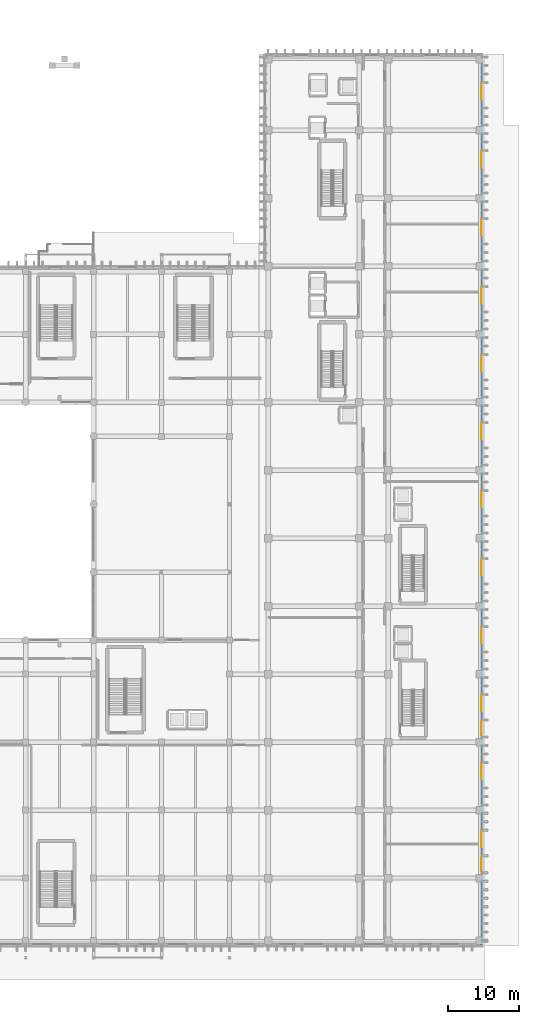
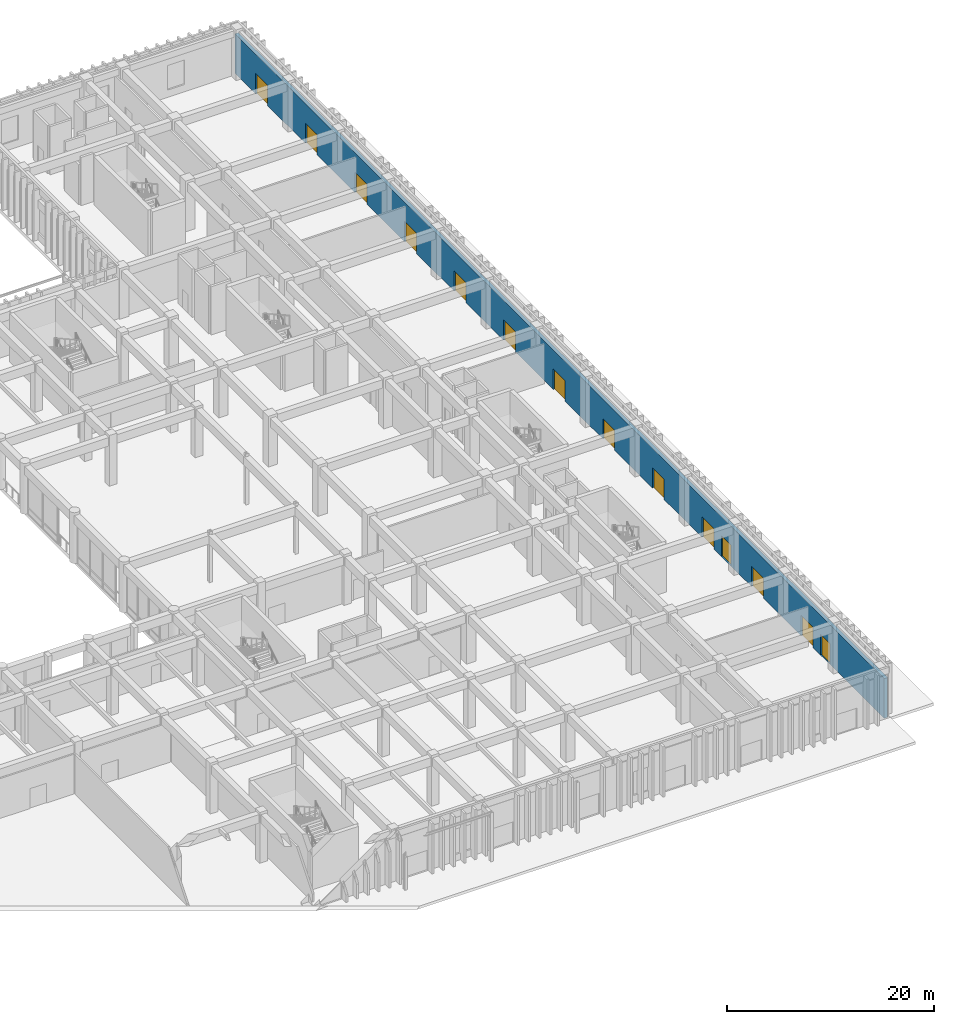
# One storey, part 48 of 87: 14 doors, 1 wall, 14 openings.
"""IFC4 building model written with IfcOpenShell, lengths in metres."""

from ifc_helpers import new_model, si_unit, direction, frame, frame_2d, origin, place, context, subcontext, project, spatial, rectangle, extrude, material, layer, layer_set, type_object, element, fill, save


model = new_model("IFC4")

# Units and contexts
model_context = context("Model", 3, precision=1e-05, world=origin(), true_north=direction((0.0, 1.0)))
body_context = subcontext(model_context, "Body", "Model", "MODEL_VIEW")
ifc_project = project(units=[si_unit("LENGTHUNIT", "METRE"), si_unit("AREAUNIT", "SQUARE_METRE"), si_unit("VOLUMEUNIT", "CUBIC_METRE"), si_unit("PLANEANGLEUNIT", "RADIAN"), si_unit("MASSUNIT", "GRAM", prefix="KILO")], contexts=[model_context])

# Site, building, storey
site_placement = place(None, origin())
site = spatial("IfcSite", under=ifc_project, at=site_placement, CompositionType="ELEMENT")
building_placement = place(site_placement, origin())
building = spatial("IfcBuilding", under=site, at=building_placement, Name="Nakhvara Creek Congress Hotel", CompositionType="ELEMENT")
storey_placement = place(building_placement, origin())
storey = spatial("IfcBuildingStorey", under=building, at=storey_placement, Name="L00", CompositionType="ELEMENT", Elevation=0.0)

# Wall, openings, doors
ifc_material_1 = material(Name="Honed pale Omani limestone cladding", Category="masonry")
ifc_layer_1 = layer(ifc_material_1, 0.050048828125)
ifc_material_2 = material(Name="Mineral wool thermal insulation")
ifc_layer_2 = layer(ifc_material_2, 0.110107421875)
ifc_material_3 = material(Name="Precast concrete C40/50", Category="concrete")
ifc_layer_3 = layer(ifc_material_3, 0.219970703125)
ifc_layer_set = layer_set([ifc_layer_1, ifc_layer_2, ifc_layer_3], Name="Precast concrete C40/50")
wall_type = type_object("IfcWallType", Name="W-EXT-380", PredefinedType="SOLIDWALL", material=ifc_layer_set)
wall_placement = place(storey_placement, frame((179.56005859375, 125.85009765625, 0.0), z_axis=(0.0, 0.0, 1.0), x_axis=(0.0, -1.0, 0.0)))
wall = element("IfcWall", 1, at=wall_placement, inside=storey, type_object=wall_type, Name="Exterior Wall WE03-EW-L00-0032", PredefinedType="SOLIDWALL", context=body_context, shape_type="SweptSolid", body=[
    extrude(rectangle(XDim=125.7001953125, YDim=0.3798828125, at=frame_2d((62.85009765625, 0.0))), origin(), (0.0, 0.0, 1.0), 4.69189453125),
])
opening_1_placement = place(wall_placement, frame((4.0, 0.0, 0.0)))
opening_1 = element("IfcOpeningElement", 2, at=opening_1_placement, cuts=wall, Name="Opening E23", PredefinedType="OPENING", context=body_context, shape_type="SweptSolid", body=[
    extrude(rectangle(XDim=2.300048828125, YDim=2.39990234375, at=frame_2d((1.14990234375, 1.199951171875))), frame((0.0, 0.201904296875, 0.0), z_axis=(0.0, -1.0, 0.0), x_axis=(1.0, 0.0, 0.0)), (0.0, 0.0, 1.0), 0.40380859375),
])
opening_2_placement = place(wall_placement, frame((13.60009765625, 0.0, 0.0)))
opening_2 = element("IfcOpeningElement", 3, at=opening_2_placement, cuts=wall, Name="Opening E24", PredefinedType="OPENING", context=body_context, shape_type="SweptSolid", body=[
    extrude(rectangle(XDim=2.300048828125, YDim=2.39990234375, at=frame_2d((1.14990234375, 1.199951171875))), frame((0.0, 0.201904296875, 0.0), z_axis=(0.0, -1.0, 0.0), x_axis=(1.0, 0.0, 0.0)), (0.0, 0.0, 1.0), 0.40380859375),
])
opening_3_placement = place(wall_placement, frame((23.199951171875, 0.0, 0.0)))
opening_3 = element("IfcOpeningElement", 4, at=opening_3_placement, cuts=wall, Name="Opening E25", PredefinedType="OPENING", context=body_context, shape_type="SweptSolid", body=[
    extrude(rectangle(XDim=2.300048828125, YDim=2.39990234375, at=frame_2d((1.14990234375, 1.199951171875))), frame((0.0, 0.201904296875, 0.0), z_axis=(0.0, -1.0, 0.0), x_axis=(1.0, 0.0, 0.0)), (0.0, 0.0, 1.0), 0.40380859375),
])
opening_4_placement = place(wall_placement, frame((32.800048828125, 0.0, 0.0)))
opening_4 = element("IfcOpeningElement", 5, at=opening_4_placement, cuts=wall, Name="Opening E26", PredefinedType="OPENING", context=body_context, shape_type="SweptSolid", body=[
    extrude(rectangle(XDim=2.300048828125, YDim=2.39990234375, at=frame_2d((1.14990234375, 1.199951171875))), frame((0.0, 0.201904296875, 0.0), z_axis=(0.0, -1.0, 0.0), x_axis=(1.0, 0.0, 0.0)), (0.0, 0.0, 1.0), 0.40380859375),
])
opening_5_placement = place(wall_placement, frame((42.39990234375, 0.0, 0.0)))
opening_5 = element("IfcOpeningElement", 6, at=opening_5_placement, cuts=wall, Name="Opening E27", PredefinedType="OPENING", context=body_context, shape_type="SweptSolid", body=[
    extrude(rectangle(XDim=2.300048828125, YDim=2.39990234375, at=frame_2d((1.14990234375, 1.199951171875))), frame((0.0, 0.201904296875, 0.0), z_axis=(0.0, -1.0, 0.0), x_axis=(1.0, 0.0, 0.0)), (0.0, 0.0, 1.0), 0.40380859375),
])
opening_6_placement = place(wall_placement, frame((52.0, 0.0, 0.0)))
opening_6 = element("IfcOpeningElement", 7, at=opening_6_placement, cuts=wall, Name="Opening E28", PredefinedType="OPENING", context=body_context, shape_type="SweptSolid", body=[
    extrude(rectangle(XDim=2.300048828125, YDim=2.39990234375, at=frame_2d((1.14990234375, 1.199951171875))), frame((0.0, 0.201904296875, 0.0), z_axis=(0.0, -1.0, 0.0), x_axis=(1.0, 0.0, 0.0)), (0.0, 0.0, 1.0), 0.40380859375),
])
opening_7_placement = place(wall_placement, frame((61.60009765625, 0.0, 0.0)))
opening_7 = element("IfcOpeningElement", 8, at=opening_7_placement, cuts=wall, Name="Opening E29", PredefinedType="OPENING", context=body_context, shape_type="SweptSolid", body=[
    extrude(rectangle(XDim=2.300048828125, YDim=2.39990234375, at=frame_2d((1.14990234375, 1.199951171875))), frame((0.0, 0.201904296875, 0.0), z_axis=(0.0, -1.0, 0.0), x_axis=(1.0, 0.0, 0.0)), (0.0, 0.0, 1.0), 0.40380859375),
])
opening_8_placement = place(wall_placement, frame((71.199951171875, 0.0, 0.0)))
opening_8 = element("IfcOpeningElement", 9, at=opening_8_placement, cuts=wall, Name="Opening E30", PredefinedType="OPENING", context=body_context, shape_type="SweptSolid", body=[
    extrude(rectangle(XDim=2.300048828125, YDim=2.39990234375, at=frame_2d((1.14990234375, 1.199951171875))), frame((0.0, 0.201904296875, 0.0), z_axis=(0.0, -1.0, 0.0), x_axis=(1.0, 0.0, 0.0)), (0.0, 0.0, 1.0), 0.40380859375),
])
opening_9_placement = place(wall_placement, frame((80.800048828125, 0.0, 0.0)))
opening_9 = element("IfcOpeningElement", 10, at=opening_9_placement, cuts=wall, Name="Opening E31", PredefinedType="OPENING", context=body_context, shape_type="SweptSolid", body=[
    extrude(rectangle(XDim=2.300048828125, YDim=2.39990234375, at=frame_2d((1.14990234375, 1.199951171875))), frame((0.0, 0.201904296875, 0.0), z_axis=(0.0, -1.0, 0.0), x_axis=(1.0, 0.0, 0.0)), (0.0, 0.0, 1.0), 0.40380859375),
])
opening_10_placement = place(wall_placement, frame((90.39990234375, 0.0, 0.0)))
opening_10 = element("IfcOpeningElement", 11, at=opening_10_placement, cuts=wall, Name="Opening E32", PredefinedType="OPENING", context=body_context, shape_type="SweptSolid", body=[
    extrude(rectangle(XDim=2.300048828125, YDim=2.39990234375, at=frame_2d((1.14990234375, 1.199951171875))), frame((0.0, 0.201904296875, 0.0), z_axis=(0.0, -1.0, 0.0), x_axis=(1.0, 0.0, 0.0)), (0.0, 0.0, 1.0), 0.40380859375),
])
opening_11_placement = place(wall_placement, frame((100.0, 0.0, 0.0)))
opening_11 = element("IfcOpeningElement", 12, at=opening_11_placement, cuts=wall, Name="Opening E33", PredefinedType="OPENING", context=body_context, shape_type="SweptSolid", body=[
    extrude(rectangle(XDim=2.300048828125, YDim=2.39990234375, at=frame_2d((1.14990234375, 1.199951171875))), frame((0.0, 0.201904296875, 0.0), z_axis=(0.0, -1.0, 0.0), x_axis=(1.0, 0.0, 0.0)), (0.0, 0.0, 1.0), 0.40380859375),
])
opening_12_placement = place(wall_placement, frame((109.60009765625, 0.0, 0.0)))
opening_12 = element("IfcOpeningElement", 13, at=opening_12_placement, cuts=wall, Name="Opening E34", PredefinedType="OPENING", context=body_context, shape_type="SweptSolid", body=[
    extrude(rectangle(XDim=2.300048828125, YDim=2.39990234375, at=frame_2d((1.14990234375, 1.199951171875))), frame((0.0, 0.201904296875, 0.0), z_axis=(0.0, -1.0, 0.0), x_axis=(1.0, 0.0, 0.0)), (0.0, 0.0, 1.0), 0.40380859375),
])
opening_13_placement = place(wall_placement, frame((94.14990234375, 0.0, 0.0)))
opening_13 = element("IfcOpeningElement", 14, at=opening_13_placement, cuts=wall, Name="Opening RT01", PredefinedType="OPENING", context=body_context, shape_type="SweptSolid", body=[
    extrude(rectangle(XDim=1.89990234375, YDim=2.449951171875, at=frame_2d((0.949951171875, 1.22509765625))), frame((0.0, 0.201904296875, 0.0), z_axis=(0.0, -1.0, 0.0), x_axis=(1.0, 0.0, 0.0)), (0.0, 0.0, 1.0), 0.40380859375),
])
opening_14_placement = place(wall_placement, frame((113.35009765625, 0.0, 0.0)))
opening_14 = element("IfcOpeningElement", 15, at=opening_14_placement, cuts=wall, Name="Opening RT02", PredefinedType="OPENING", context=body_context, shape_type="SweptSolid", body=[
    extrude(rectangle(XDim=1.89990234375, YDim=2.449951171875, at=frame_2d((0.949951171875, 1.22509765625))), frame((0.0, 0.201904296875, 0.0), z_axis=(0.0, -1.0, 0.0), x_axis=(1.0, 0.0, 0.0)), (0.0, 0.0, 1.0), 0.40380859375),
])
ifc_material_4 = material(Name="Bronze-anodised aluminium and laminated low-E glass", Category="aluminium")
door_type_1 = type_object("IfcDoorType", Name="DT-EXT-E230", OperationType="DOUBLE_DOOR_SINGLE_SWING", PredefinedType="DOOR", material=ifc_material_4)
door_1_placement = place(opening_1_placement, origin())
door_1 = element("IfcDoor", 16, at=door_1_placement, inside=storey, type_object=door_type_1, Name="Main Final Exit E23", OperationType="DOUBLE_DOOR_SINGLE_SWING", OverallHeight=2.39990234375, OverallWidth=2.300048828125, PredefinedType="DOOR", context=body_context, shape_type="SweptSolid", body=[
    extrude(rectangle(XDim=2.300048828125, YDim=2.39990234375, at=frame_2d((1.14990234375, 1.199951171875))), frame((0.0, 0.02490234375, 0.0), z_axis=(0.0, -1.0, 0.0), x_axis=(1.0, 0.0, 0.0)), (0.0, 0.0, 1.0), 0.050048828125),
])
fill(opening_1, door_1)
door_2_placement = place(opening_2_placement, origin())
door_2 = element("IfcDoor", 17, at=door_2_placement, inside=storey, type_object=door_type_1, Name="Main Final Exit E24", OperationType="DOUBLE_DOOR_SINGLE_SWING", OverallHeight=2.39990234375, OverallWidth=2.300048828125, PredefinedType="DOOR", context=body_context, shape_type="SweptSolid", body=[
    extrude(rectangle(XDim=2.300048828125, YDim=2.39990234375, at=frame_2d((1.14990234375, 1.199951171875))), frame((0.0, 0.02490234375, 0.0), z_axis=(0.0, -1.0, 0.0), x_axis=(1.0, 0.0, 0.0)), (0.0, 0.0, 1.0), 0.050048828125),
])
fill(opening_2, door_2)
door_3_placement = place(opening_3_placement, origin())
door_3 = element("IfcDoor", 18, at=door_3_placement, inside=storey, type_object=door_type_1, Name="Main Final Exit E25", OperationType="DOUBLE_DOOR_SINGLE_SWING", OverallHeight=2.39990234375, OverallWidth=2.300048828125, PredefinedType="DOOR", context=body_context, shape_type="SweptSolid", body=[
    extrude(rectangle(XDim=2.300048828125, YDim=2.39990234375, at=frame_2d((1.14990234375, 1.199951171875))), frame((0.0, 0.02490234375, 0.0), z_axis=(0.0, -1.0, 0.0), x_axis=(1.0, 0.0, 0.0)), (0.0, 0.0, 1.0), 0.050048828125),
])
fill(opening_3, door_3)
door_4_placement = place(opening_4_placement, origin())
door_4 = element("IfcDoor", 19, at=door_4_placement, inside=storey, type_object=door_type_1, Name="Main Final Exit E26", OperationType="DOUBLE_DOOR_SINGLE_SWING", OverallHeight=2.39990234375, OverallWidth=2.300048828125, PredefinedType="DOOR", context=body_context, shape_type="SweptSolid", body=[
    extrude(rectangle(XDim=2.300048828125, YDim=2.39990234375, at=frame_2d((1.14990234375, 1.199951171875))), frame((0.0, 0.02490234375, 0.0), z_axis=(0.0, -1.0, 0.0), x_axis=(1.0, 0.0, 0.0)), (0.0, 0.0, 1.0), 0.050048828125),
])
fill(opening_4, door_4)
door_5_placement = place(opening_5_placement, origin())
door_5 = element("IfcDoor", 20, at=door_5_placement, inside=storey, type_object=door_type_1, Name="Main Final Exit E27", OperationType="DOUBLE_DOOR_SINGLE_SWING", OverallHeight=2.39990234375, OverallWidth=2.300048828125, PredefinedType="DOOR", context=body_context, shape_type="SweptSolid", body=[
    extrude(rectangle(XDim=2.300048828125, YDim=2.39990234375, at=frame_2d((1.14990234375, 1.199951171875))), frame((0.0, 0.02490234375, 0.0), z_axis=(0.0, -1.0, 0.0), x_axis=(1.0, 0.0, 0.0)), (0.0, 0.0, 1.0), 0.050048828125),
])
fill(opening_5, door_5)
door_6_placement = place(opening_6_placement, origin())
door_6 = element("IfcDoor", 21, at=door_6_placement, inside=storey, type_object=door_type_1, Name="Main Final Exit E28", OperationType="DOUBLE_DOOR_SINGLE_SWING", OverallHeight=2.39990234375, OverallWidth=2.300048828125, PredefinedType="DOOR", context=body_context, shape_type="SweptSolid", body=[
    extrude(rectangle(XDim=2.300048828125, YDim=2.39990234375, at=frame_2d((1.14990234375, 1.199951171875))), frame((0.0, 0.02490234375, 0.0), z_axis=(0.0, -1.0, 0.0), x_axis=(1.0, 0.0, 0.0)), (0.0, 0.0, 1.0), 0.050048828125),
])
fill(opening_6, door_6)
door_7_placement = place(opening_7_placement, origin())
door_7 = element("IfcDoor", 22, at=door_7_placement, inside=storey, type_object=door_type_1, Name="Main Final Exit E29", OperationType="DOUBLE_DOOR_SINGLE_SWING", OverallHeight=2.39990234375, OverallWidth=2.300048828125, PredefinedType="DOOR", context=body_context, shape_type="SweptSolid", body=[
    extrude(rectangle(XDim=2.300048828125, YDim=2.39990234375, at=frame_2d((1.14990234375, 1.199951171875))), frame((0.0, 0.02490234375, 0.0), z_axis=(0.0, -1.0, 0.0), x_axis=(1.0, 0.0, 0.0)), (0.0, 0.0, 1.0), 0.050048828125),
])
fill(opening_7, door_7)
door_8_placement = place(opening_8_placement, origin())
door_8 = element("IfcDoor", 23, at=door_8_placement, inside=storey, type_object=door_type_1, Name="Main Final Exit E30", OperationType="DOUBLE_DOOR_SINGLE_SWING", OverallHeight=2.39990234375, OverallWidth=2.300048828125, PredefinedType="DOOR", context=body_context, shape_type="SweptSolid", body=[
    extrude(rectangle(XDim=2.300048828125, YDim=2.39990234375, at=frame_2d((1.14990234375, 1.199951171875))), frame((0.0, 0.02490234375, 0.0), z_axis=(0.0, -1.0, 0.0), x_axis=(1.0, 0.0, 0.0)), (0.0, 0.0, 1.0), 0.050048828125),
])
fill(opening_8, door_8)
door_9_placement = place(opening_9_placement, origin())
door_9 = element("IfcDoor", 24, at=door_9_placement, inside=storey, type_object=door_type_1, Name="Main Final Exit E31", OperationType="DOUBLE_DOOR_SINGLE_SWING", OverallHeight=2.39990234375, OverallWidth=2.300048828125, PredefinedType="DOOR", context=body_context, shape_type="SweptSolid", body=[
    extrude(rectangle(XDim=2.300048828125, YDim=2.39990234375, at=frame_2d((1.14990234375, 1.199951171875))), frame((0.0, 0.02490234375, 0.0), z_axis=(0.0, -1.0, 0.0), x_axis=(1.0, 0.0, 0.0)), (0.0, 0.0, 1.0), 0.050048828125),
])
fill(opening_9, door_9)
door_10_placement = place(opening_10_placement, origin())
door_10 = element("IfcDoor", 25, at=door_10_placement, inside=storey, type_object=door_type_1, Name="Main Final Exit E32", OperationType="DOUBLE_DOOR_SINGLE_SWING", OverallHeight=2.39990234375, OverallWidth=2.300048828125, PredefinedType="DOOR", context=body_context, shape_type="SweptSolid", body=[
    extrude(rectangle(XDim=2.300048828125, YDim=2.39990234375, at=frame_2d((1.14990234375, 1.199951171875))), frame((0.0, 0.02490234375, 0.0), z_axis=(0.0, -1.0, 0.0), x_axis=(1.0, 0.0, 0.0)), (0.0, 0.0, 1.0), 0.050048828125),
])
fill(opening_10, door_10)
door_11_placement = place(opening_11_placement, origin())
door_11 = element("IfcDoor", 26, at=door_11_placement, inside=storey, type_object=door_type_1, Name="Main Final Exit E33", OperationType="DOUBLE_DOOR_SINGLE_SWING", OverallHeight=2.39990234375, OverallWidth=2.300048828125, PredefinedType="DOOR", context=body_context, shape_type="SweptSolid", body=[
    extrude(rectangle(XDim=2.300048828125, YDim=2.39990234375, at=frame_2d((1.14990234375, 1.199951171875))), frame((0.0, 0.02490234375, 0.0), z_axis=(0.0, -1.0, 0.0), x_axis=(1.0, 0.0, 0.0)), (0.0, 0.0, 1.0), 0.050048828125),
])
fill(opening_11, door_11)
door_12_placement = place(opening_12_placement, origin())
door_12 = element("IfcDoor", 27, at=door_12_placement, inside=storey, type_object=door_type_1, Name="Main Final Exit E34", OperationType="DOUBLE_DOOR_SINGLE_SWING", OverallHeight=2.39990234375, OverallWidth=2.300048828125, PredefinedType="DOOR", context=body_context, shape_type="SweptSolid", body=[
    extrude(rectangle(XDim=2.300048828125, YDim=2.39990234375, at=frame_2d((1.14990234375, 1.199951171875))), frame((0.0, 0.02490234375, 0.0), z_axis=(0.0, -1.0, 0.0), x_axis=(1.0, 0.0, 0.0)), (0.0, 0.0, 1.0), 0.050048828125),
])
fill(opening_12, door_12)
door_type_2 = type_object("IfcDoorType", Name="DT-EXT-RET190", OperationType="DOUBLE_DOOR_SINGLE_SWING", PredefinedType="DOOR", material=ifc_material_4)
door_13_placement = place(opening_13_placement, origin())
door_13 = element("IfcDoor", 28, at=door_13_placement, inside=storey, type_object=door_type_2, Name="Retail Storefront Entrance RT01", OperationType="DOUBLE_DOOR_SINGLE_SWING", OverallHeight=2.449951171875, OverallWidth=1.89990234375, PredefinedType="DOOR", context=body_context, shape_type="SweptSolid", body=[
    extrude(rectangle(XDim=1.89990234375, YDim=2.449951171875, at=frame_2d((0.949951171875, 1.22509765625))), frame((0.0, 0.02490234375, 0.0), z_axis=(0.0, -1.0, 0.0), x_axis=(1.0, 0.0, 0.0)), (0.0, 0.0, 1.0), 0.050048828125),
])
fill(opening_13, door_13)
door_14_placement = place(opening_14_placement, origin())
door_14 = element("IfcDoor", 29, at=door_14_placement, inside=storey, type_object=door_type_2, Name="Retail Storefront Entrance RT02", OperationType="DOUBLE_DOOR_SINGLE_SWING", OverallHeight=2.449951171875, OverallWidth=1.89990234375, PredefinedType="DOOR", context=body_context, shape_type="SweptSolid", body=[
    extrude(rectangle(XDim=1.89990234375, YDim=2.449951171875, at=frame_2d((0.949951171875, 1.22509765625))), frame((0.0, 0.02490234375, 0.0), z_axis=(0.0, -1.0, 0.0), x_axis=(1.0, 0.0, 0.0)), (0.0, 0.0, 1.0), 0.050048828125),
])
fill(opening_14, door_14)

save(model, "model.ifc")
